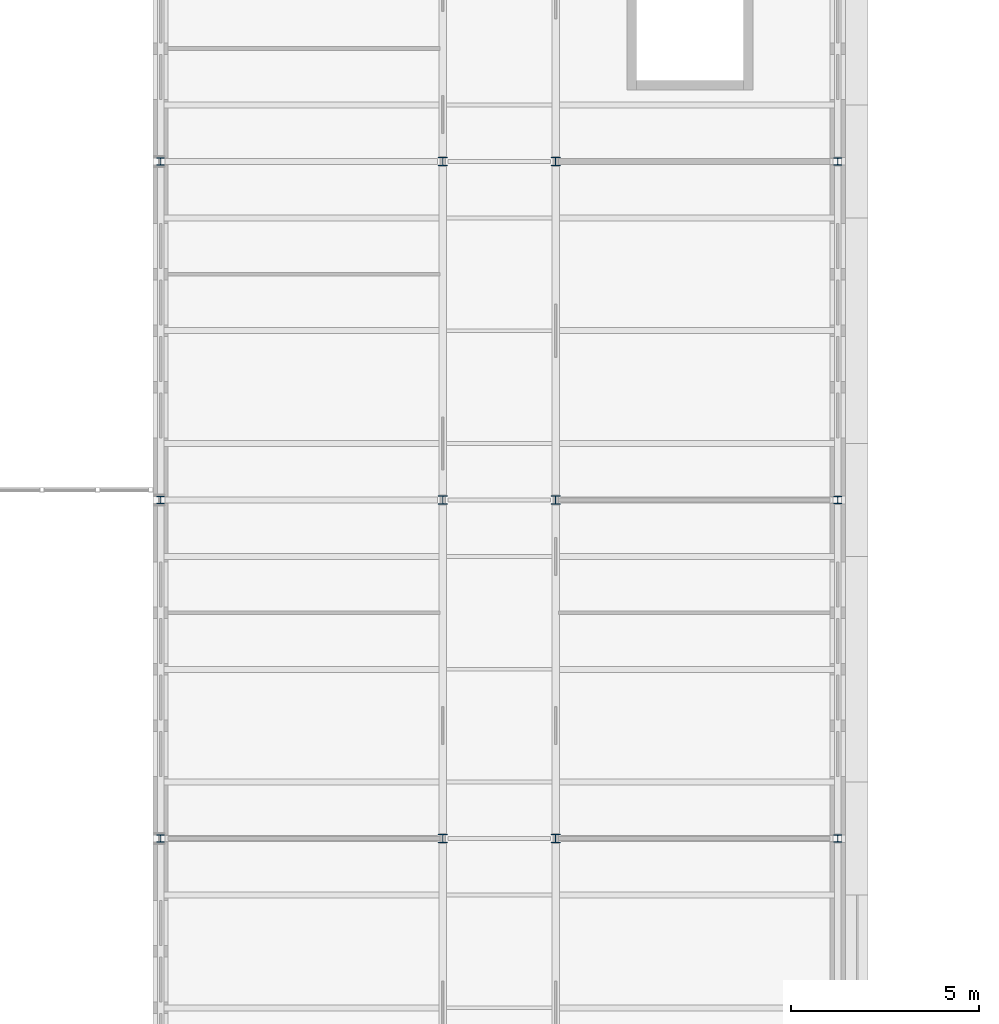
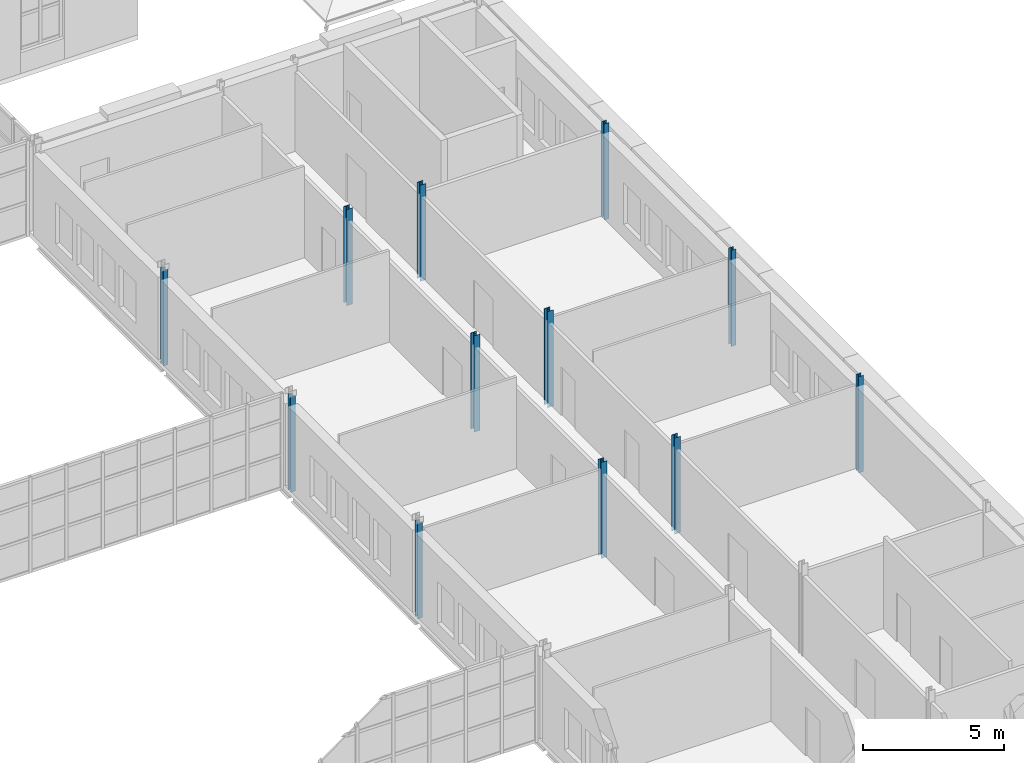
# One storey, part 8 of 154: 12 columns.
"""IFC4 building model written with IfcOpenShell, lengths in metres."""

from ifc_helpers import new_model, si_unit, direction, frame, origin, origin_2d, place, context, subcontext, project, spatial, i_section, extrude, material, material_profile, profile_set, type_object, element, save


model = new_model("IFC4")

# Units and contexts
model_context = context("Model", 3, precision=1e-05, world=origin(), true_north=direction((0.0, 1.0)))
body_context = subcontext(model_context, "Body", "Model", "MODEL_VIEW")
ifc_project = project(units=[si_unit("LENGTHUNIT", "METRE"), si_unit("AREAUNIT", "SQUARE_METRE"), si_unit("VOLUMEUNIT", "CUBIC_METRE"), si_unit("PLANEANGLEUNIT", "RADIAN"), si_unit("MASSUNIT", "GRAM", prefix="KILO")], contexts=[model_context])

# Site, building, storey
site_placement = place(None, origin())
site = spatial("IfcSite", under=ifc_project, at=site_placement, CompositionType="ELEMENT")
building_placement = place(site_placement, origin())
building = spatial("IfcBuilding", under=site, at=building_placement, Name="Golden Quay Civic Hall", CompositionType="ELEMENT")
storey_placement = place(building_placement, frame((0.0, 0.0, 14.39990234375)))
storey = spatial("IfcBuildingStorey", under=building, at=storey_placement, Name="L03", CompositionType="ELEMENT", Elevation=14.39990234375)

# Columns
ifc_material_1 = material(Name="Steel S355", Category="steel")
ifc_material_profile_1 = material_profile(ifc_material_1, i_section(OverallWidth=0.199951171875, OverallDepth=0.18994140625, WebThickness=0.006591796875, FlangeThickness=0.010009765625, FilletRadius=0.01806640625, at=origin_2d()), Name="HEA 200")
ifc_profile_set_1 = profile_set([ifc_material_profile_1], Name="Steel S355")
column_type_1 = type_object("IfcColumnType", Name="Steel column HEA 200", PredefinedType="COLUMN", material=ifc_profile_set_1)
for number, where, z_axis, x_axis, name in (
    (1, (99.0, 27.0, -0.199951171875), (0.0, 0.0, 1.0), (1.0, 0.0, 0.0), "Column 99/27 L03"),
    (2, (99.0, 36.0, -0.199951171875), (0.0, 0.0, 1.0), (1.0, 0.0, 0.0), "Column 99/36 L03"),
    (3, (99.0, 45.0, -0.199951171875), (0.0, 0.0, 1.0), (1.0, 0.0, 0.0), "Column 99/45 L03"),
    (4, (117.0, 27.0, -0.199951171875), (0.0, 0.0, 1.0), (1.0, 0.0, 0.0), "Column 117/27 L03"),
    (5, (117.0, 36.0, -0.199951171875), (0.0, 0.0, 1.0), (1.0, 0.0, 0.0), "Column 117/36 L03"),
    (6, (117.0, 45.0, -0.199951171875), (0.0, 0.0, 1.0), (1.0, 0.0, 0.0), "Column 117/45 L03"),
):
    element("IfcColumn", number, at=place(storey_placement, frame(where, z_axis=z_axis, x_axis=x_axis)), inside=storey, type_object=column_type_1, Name=name, PredefinedType="COLUMN", context=body_context, shape_type="SweptSolid", body=[
        extrude(i_section(OverallWidth=0.199951171875, OverallDepth=0.18994140625, WebThickness=0.006591796875, FlangeThickness=0.010009765625, FilletRadius=0.01806640625, at=origin_2d()), origin(), (0.0, 0.0, 1.0), 4.150146484375),
    ])
ifc_material_2 = material(Name="Steel S355", Category="steel")
ifc_material_profile_2 = material_profile(ifc_material_2, i_section(OverallWidth=0.239990234375, OverallDepth=0.22998046875, WebThickness=0.007568359375, FlangeThickness=0.011962890625, FilletRadius=0.02099609375, at=origin_2d()), Name="HEA 240")
ifc_profile_set_2 = profile_set([ifc_material_profile_2], Name="Steel S355")
column_type_2 = type_object("IfcColumnType", Name="Steel column HEA 240", PredefinedType="COLUMN", material=ifc_profile_set_2)
for number, where, z_axis, x_axis, name in (
    (7, (106.5, 27.0, -0.199951171875), (0.0, 0.0, 1.0), (1.0, 0.0, 0.0), "Column 106.5/27 L03"),
    (8, (106.5, 36.0, -0.199951171875), (0.0, 0.0, 1.0), (1.0, 0.0, 0.0), "Column 106.5/36 L03"),
    (9, (106.5, 45.0, -0.199951171875), (0.0, 0.0, 1.0), (1.0, 0.0, 0.0), "Column 106.5/45 L03"),
    (10, (109.5, 27.0, -0.199951171875), (0.0, 0.0, 1.0), (1.0, 0.0, 0.0), "Column 109.5/27 L03"),
    (11, (109.5, 36.0, -0.199951171875), (0.0, 0.0, 1.0), (1.0, 0.0, 0.0), "Column 109.5/36 L03"),
    (12, (109.5, 45.0, -0.199951171875), (0.0, 0.0, 1.0), (1.0, 0.0, 0.0), "Column 109.5/45 L03"),
):
    element("IfcColumn", number, at=place(storey_placement, frame(where, z_axis=z_axis, x_axis=x_axis)), inside=storey, type_object=column_type_2, Name=name, PredefinedType="COLUMN", context=body_context, shape_type="SweptSolid", body=[
        extrude(i_section(OverallWidth=0.239990234375, OverallDepth=0.22998046875, WebThickness=0.007568359375, FlangeThickness=0.011962890625, FilletRadius=0.02099609375, at=origin_2d()), origin(), (0.0, 0.0, 1.0), 4.150146484375),
    ])

save(model, "model.ifc")
